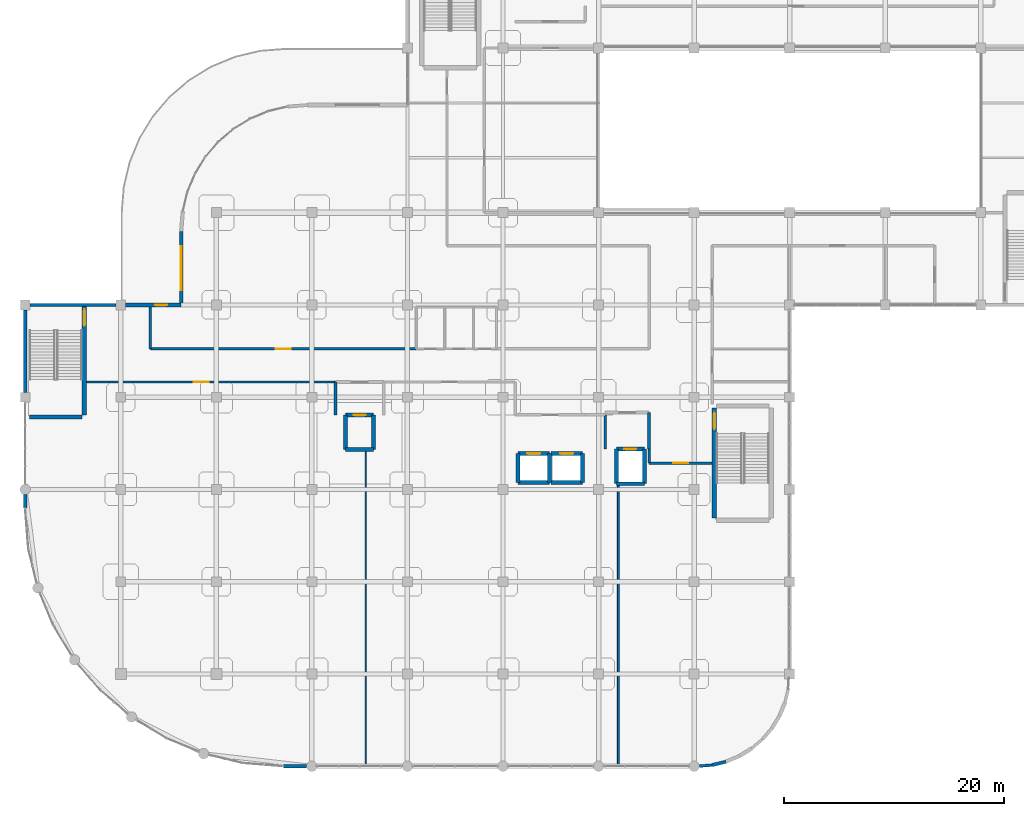
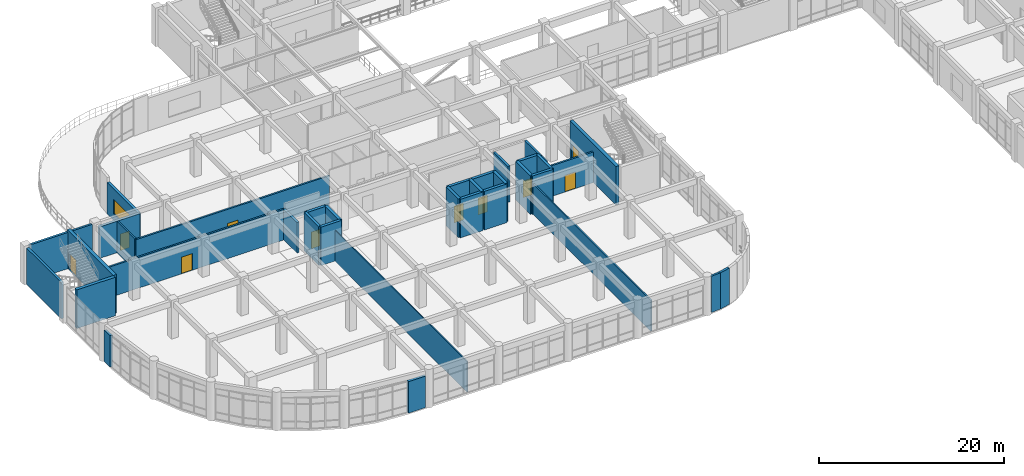
# One storey, part 99 of 120: 36 walls, 10 doors, 1 window, 11 openings.
"""IFC4 building model written with IfcOpenShell, lengths in metres."""

from ifc_helpers import new_model, si_unit, derived_unit, direction, frame, frame_2d, origin, place, context, subcontext, project, spatial, rectangle, extrude, material, layer, layer_set, type_object, element, fill, save


model = new_model("IFC4")

# Units and contexts
model_context = context("Model", 3, precision=1e-05, world=origin(), true_north=direction((0.0, 1.0)))
body_context = subcontext(model_context, "Body", "Model", "MODEL_VIEW")
ifc_project = project(units=[si_unit("LENGTHUNIT", "METRE"), si_unit("AREAUNIT", "SQUARE_METRE"), si_unit("VOLUMEUNIT", "CUBIC_METRE"), si_unit("PLANEANGLEUNIT", "RADIAN"), si_unit("MASSUNIT", "GRAM", prefix="KILO"), derived_unit("THERMALTRANSMITTANCEUNIT", [(si_unit("MASSUNIT", "GRAM", prefix="KILO"), 1), (si_unit("TIMEUNIT", "SECOND"), -3), (si_unit("THERMODYNAMICTEMPERATUREUNIT", "KELVIN"), -1)])], contexts=[model_context])

# Site, building, storey
site_placement = place(None, origin())
site = spatial("IfcSite", under=ifc_project, at=site_placement, CompositionType="ELEMENT")
building_placement = place(site_placement, origin())
building = spatial("IfcBuilding", under=site, at=building_placement, Name="Qinzheling Arcade Emporium", CompositionType="ELEMENT")
storey_placement = place(building_placement, frame((0.0, 0.0, 11.39990234375)))
storey = spatial("IfcBuildingStorey", under=building, at=storey_placement, Name="L03", CompositionType="ELEMENT", Elevation=11.39990234375)

# Wall
ifc_material_1 = material(Name="Double-stud acoustic gypsum board partition")
ifc_layer_1 = layer(ifc_material_1, 0.215087890625, Name="Double-stud acoustic gypsum board partition")
ifc_layer_set_1 = layer_set([ifc_layer_1], Name="Double-stud acoustic gypsum board partition")
wall_type_1 = type_object("IfcWallType", Name="Acoustic Corridor Partition Wall 215", PredefinedType="PARTITIONING", material=ifc_layer_set_1)
wall_1_placement = place(storey_placement, frame((11.39990234375, 41.824951171875, 0.0), z_axis=(0.0, 0.0, 1.0), x_axis=(0.0, -1.0, 0.0)))
element("IfcWall", 1, at=wall_1_placement, inside=storey, type_object=wall_type_1, Name="Interior Wall WL-L03-INT-0468", PredefinedType="PARTITIONING", context=body_context, shape_type="SweptSolid", body=[
    extrude(rectangle(XDim=3.824951171875, YDim=0.215087890625, at=frame_2d((1.91259765625, 0.0))), origin(), (0.0, 0.0, 1.0), 4.16015625),
])

# Wall, opening, door
wall_2_placement = place(storey_placement, frame((11.39990234375, 38.0, 0.0), z_axis=(0.0, 0.0, 1.0), x_axis=(1.0, 0.0, 0.0)))
wall_2 = element("IfcWall", 2, at=wall_2_placement, inside=storey, type_object=wall_type_1, Name="Interior Wall WL-L03-INT-0469", PredefinedType="PARTITIONING", context=body_context, shape_type="SweptSolid", body=[
    extrude(rectangle(XDim=24.2001953125, YDim=0.215087890625, at=frame_2d((12.10009765625, 0.0))), origin(), (0.0, 0.0, 1.0), 4.06005859375),
])
opening_1_placement = place(wall_2_placement, frame((11.425048828125, 0.0, 0.0)))
opening_1 = element("IfcOpeningElement", 3, at=opening_1_placement, cuts=wall_2, Name="Opening FD05", PredefinedType="OPENING", context=body_context, shape_type="SweptSolid", body=[
    extrude(rectangle(XDim=1.35009765625, YDim=2.199951171875, at=frame_2d((0.675048828125, 1.10009765625))), frame((0.0, 0.11767578125, 0.0), z_axis=(0.0, -1.0, 0.0), x_axis=(1.0, 0.0, 0.0)), (0.0, 0.0, 1.0), 0.235107421875),
])
ifc_material_2 = material(Name="Class B fire-rated stainless-clad door")
door_type_1 = type_object("IfcDoorType", Name="Kitchen Fire-Rated Service Door 1350x2200", OperationType="NOTDEFINED", PredefinedType="DOOR", material=ifc_material_2)
door_1_placement = place(opening_1_placement, origin())
door_1 = element("IfcDoor", 4, at=door_1_placement, inside=storey, type_object=door_type_1, Name="FD05 Interior Door DR-L03-INT-0132", OperationType="SINGLE_SWING_RIGHT", OverallHeight=2.199951171875, OverallWidth=1.35009765625, PredefinedType="DOOR", context=body_context, shape_type="SweptSolid", body=[
    extrude(rectangle(XDim=1.35009765625, YDim=2.199951171875, at=frame_2d((0.675048828125, 1.10009765625))), frame((0.0, 0.02490234375, 0.0), z_axis=(0.0, -1.0, 0.0), x_axis=(1.0, 0.0, 0.0)), (0.0, 0.0, 1.0), 0.050048828125),
])
fill(opening_1, door_1)

wall_3_placement = place(storey_placement, frame((28.25, 34.97998046875, 0.0), z_axis=(0.0, 0.0, 1.0), x_axis=(-1.0, 0.0, 0.0)))
wall_3 = element("IfcWall", 5, at=wall_3_placement, inside=storey, type_object=wall_type_1, Name="Interior Wall WL-L03-INT-0477", PredefinedType="PARTITIONING", context=body_context, shape_type="SweptSolid", body=[
    extrude(rectangle(XDim=22.655029296875, YDim=0.215087890625, at=frame_2d((11.32763671875, 0.0))), origin(), (0.0, 0.0, 1.0), 4.06005859375),
])
opening_2_placement = place(wall_3_placement, frame((11.552978515625, 0.0, 0.0)))
opening_2 = element("IfcOpeningElement", 6, at=opening_2_placement, cuts=wall_3, Name="Opening FD05", PredefinedType="OPENING", context=body_context, shape_type="SweptSolid", body=[
    extrude(rectangle(XDim=1.35009765625, YDim=2.199951171875, at=frame_2d((0.675048828125, 1.10009765625))), frame((0.0, 0.11767578125, 0.0), z_axis=(0.0, -1.0, 0.0), x_axis=(1.0, 0.0, 0.0)), (0.0, 0.0, 1.0), 0.235107421875),
])
door_2_placement = place(opening_2_placement, origin())
door_2 = element("IfcDoor", 7, at=door_2_placement, inside=storey, type_object=door_type_1, Name="FD05 Interior Door DR-L03-INT-0134", OperationType="SINGLE_SWING_RIGHT", OverallHeight=2.199951171875, OverallWidth=1.35009765625, PredefinedType="DOOR", context=body_context, shape_type="SweptSolid", body=[
    extrude(rectangle(XDim=1.35009765625, YDim=2.199951171875, at=frame_2d((0.675048828125, 1.10009765625))), frame((0.0, 0.02490234375, 0.0), z_axis=(0.0, -1.0, 0.0), x_axis=(1.0, 0.0, 0.0)), (0.0, 0.0, 1.0), 0.050048828125),
])
fill(opening_2, door_2)

wall_4_placement = place(storey_placement, frame((62.544921875, 27.60009765625, 0.0), z_axis=(0.0, 0.0, 1.0), x_axis=(-1.0, 0.0, 0.0)))
wall_4 = element("IfcWall", 8, at=wall_4_placement, inside=storey, type_object=wall_type_1, Name="Interior Wall WL-L03-INT-0481", PredefinedType="PARTITIONING", context=body_context, shape_type="SweptSolid", body=[
    extrude(rectangle(XDim=5.744873046875, YDim=0.215087890625, at=frame_2d((2.87255859375, 0.0))), origin(), (0.0, 0.0, 1.0), 4.06005859375),
])
opening_3_placement = place(wall_4_placement, frame((2.197998046875, 0.0, 0.0)))
opening_3 = element("IfcOpeningElement", 9, at=opening_3_placement, cuts=wall_4, Name="Opening FD05", PredefinedType="OPENING", context=body_context, shape_type="SweptSolid", body=[
    extrude(rectangle(XDim=1.35009765625, YDim=2.199951171875, at=frame_2d((0.675048828125, 1.10009765625))), frame((0.0, 0.11767578125, 0.0), z_axis=(0.0, -1.0, 0.0), x_axis=(1.0, 0.0, 0.0)), (0.0, 0.0, 1.0), 0.235107421875),
])
door_3_placement = place(opening_3_placement, origin())
door_3 = element("IfcDoor", 10, at=door_3_placement, inside=storey, type_object=door_type_1, Name="FD05 Interior Door DR-L03-INT-0136", OperationType="SINGLE_SWING_RIGHT", OverallHeight=2.199951171875, OverallWidth=1.35009765625, PredefinedType="DOOR", context=body_context, shape_type="SweptSolid", body=[
    extrude(rectangle(XDim=1.35009765625, YDim=2.199951171875, at=frame_2d((0.675048828125, 1.10009765625))), frame((0.0, 0.02490234375, 0.0), z_axis=(0.0, -1.0, 0.0), x_axis=(1.0, 0.0, 0.0)), (0.0, 0.0, 1.0), 0.050048828125),
])
fill(opening_3, door_3)

# Walls
wall_5_placement = place(storey_placement, frame((56.800048828125, 27.60009765625, 0.0), z_axis=(0.0, 0.0, 1.0), x_axis=(0.0, 1.0, 0.0)))
element("IfcWall", 11, at=wall_5_placement, inside=storey, type_object=wall_type_1, Name="Interior Wall WL-L03-INT-0482", PredefinedType="PARTITIONING", context=body_context, shape_type="SweptSolid", body=[
    extrude(rectangle(XDim=1.27978515625, YDim=0.215087890625, at=frame_2d((0.639892578125, 0.0))), origin(), (0.0, 0.0, 1.0), 4.760009765625),
])
ifc_material_3 = material(Name="Insulated aluminium-clad spandrel wall", Category="aluminium")
ifc_layer_2 = layer(ifc_material_3, 0.260009765625, Name="Insulated aluminium-clad spandrel wall", Category="aluminium")
ifc_layer_set_2 = layer_set([ifc_layer_2], Name="Insulated aluminium-clad spandrel wall")
wall_type_2 = type_object("IfcWallType", Name="Arcade Clerestory Spandrel Wall 260", PredefinedType="STANDARD", material=ifc_layer_set_2)
wall_6_placement = place(storey_placement, frame((62.513916015625, 0.10302734375, 0.0), z_axis=(0.0, 0.0, 1.0), x_axis=(-0.996942630005, -0.078137010941, 0.0)))
element("IfcWall", 12, at=wall_6_placement, inside=storey, type_object=wall_type_2, Name="Exterior Wall WL-L03-EW-0165", PredefinedType="STANDARD", context=body_context, shape_type="SweptSolid", body=[
    extrude(rectangle(XDim=1.140380859375, YDim=0.260009765625, at=frame_2d((0.5703125, 0.0))), origin(), (0.0, 0.0, 1.0), 4.7900390625),
])
wall_7_placement = place(storey_placement, frame((0.451904296875, 42.0, 0.0), z_axis=(0.0, 0.0, 1.0), x_axis=(1.0, 0.0, 0.0)))
element("IfcWall", 13, at=wall_7_placement, inside=storey, type_object=wall_type_2, Name="Exterior Wall WL-L03-EW-0169", PredefinedType="STANDARD", context=body_context, shape_type="SweptSolid", body=[
    extrude(rectangle(XDim=7.796142578125, YDim=0.260009765625, at=frame_2d((3.89794921875, 0.0))), origin(), (0.0, 0.0, 1.0), 4.7900390625),
])
ifc_material_4 = material(Name="Celadon glazed terracotta insulated spandrel", Category="masonry")
ifc_layer_3 = layer(ifc_material_4, 0.340087890625, Name="Celadon glazed terracotta insulated spandrel", Category="masonry")
ifc_layer_set_3 = layer_set([ifc_layer_3], Name="Celadon glazed terracotta insulated spandrel")
wall_type_3 = type_object("IfcWallType", Name="Celadon Spandrel Infill Wall 340", PredefinedType="STANDARD", material=ifc_layer_set_3)
wall_8_placement = place(storey_placement, frame((25.623046875, 0.0, 0.0), z_axis=(0.0, 0.0, 1.0), x_axis=(-1.0, 0.0, 0.0)))
element("IfcWall", 14, at=wall_8_placement, inside=storey, type_object=wall_type_3, Name="Exterior Wall WL-L03-EW-0166", PredefinedType="STANDARD", context=body_context, shape_type="SweptSolid", body=[
    extrude(rectangle(XDim=2.123046875, YDim=0.340087890625, at=frame_2d((1.0615234375, 0.0))), origin(), (0.0, 0.0, 1.0), 4.155029296875),
])

# Wall, opening, door
wall_9_placement = place(storey_placement, frame((9.152099609375, 42.0, 0.0), z_axis=(0.0, 0.0, 1.0), x_axis=(1.0, 0.0, 0.0)))
wall_9 = element("IfcWall", 15, at=wall_9_placement, inside=storey, type_object=wall_type_3, Name="Exterior Wall WL-L03-EW-0170", PredefinedType="STANDARD", context=body_context, shape_type="SweptSolid", body=[
    extrude(rectangle(XDim=5.0478515625, YDim=0.340087890625, at=frame_2d((2.52392578125, 0.0))), origin(), (0.0, 0.0, 1.0), 4.155029296875),
])
opening_4_placement = place(wall_9_placement, frame((2.674072265625, 0.0, 0.0)))
opening_4 = element("IfcOpeningElement", 16, at=opening_4_placement, cuts=wall_9, Name="Opening TD04", PredefinedType="OPENING", context=body_context, shape_type="SweptSolid", body=[
    extrude(rectangle(XDim=1.10009765625, YDim=2.199951171875, at=frame_2d((0.550048828125, 1.10009765625))), frame((0.0, 0.18017578125, 0.0), z_axis=(0.0, -1.0, 0.0), x_axis=(1.0, 0.0, 0.0)), (0.0, 0.0, 1.0), 0.360107421875),
])
ifc_material_5 = material(Name="Thermally broken aluminium and double glass", Category="aluminium")
door_type_2 = type_object("IfcDoorType", Name="Buying Office Terrace Single Door 1100x2200", OperationType="NOTDEFINED", PredefinedType="DOOR", material=ifc_material_5)
door_4_placement = place(opening_4_placement, origin())
door_4 = element("IfcDoor", 17, at=door_4_placement, inside=storey, type_object=door_type_2, Name="TD04 Exterior Door DR-L03-EXT-031", OperationType="SINGLE_SWING_RIGHT", OverallHeight=2.199951171875, OverallWidth=1.10009765625, PredefinedType="DOOR", context=body_context, shape_type="SweptSolid", body=[
    extrude(rectangle(XDim=1.10009765625, YDim=2.199951171875, at=frame_2d((0.550048828125, 1.10009765625))), frame((0.0, 0.02490234375, 0.0), z_axis=(0.0, -1.0, 0.0), x_axis=(1.0, 0.0, 0.0)), (0.0, 0.0, 1.0), 0.050048828125),
])
fill(opening_4, door_4)

# Wall
ifc_material_6 = material(Name="Glazed cream terracotta insulated wall", Category="masonry")
ifc_layer_4 = layer(ifc_material_6, 0.320068359375, Name="Glazed cream terracotta insulated wall", Category="masonry")
ifc_layer_set_4 = layer_set([ifc_layer_4], Name="Glazed cream terracotta insulated wall")
wall_type_4 = type_object("IfcWallType", Name="Chicago Frame Infill Wall 320", PredefinedType="STANDARD", material=ifc_layer_set_4)
wall_10_placement = place(storey_placement, frame((0.0, 23.5, 0.0), z_axis=(0.0, 0.0, 1.0), x_axis=(0.0, 1.0, 0.0)))
element("IfcWall", 18, at=wall_10_placement, inside=storey, type_object=wall_type_4, Name="Exterior Wall WL-L03-EW-0167", PredefinedType="STANDARD", context=body_context, shape_type="SweptSolid", body=[
    extrude(rectangle(XDim=1.222900390625, YDim=0.320068359375, at=frame_2d((0.611328125, 0.0))), origin(), (0.0, 0.0, 1.0), 4.155029296875),
])

# Wall, opening, window
wall_11_placement = place(storey_placement, frame((14.199951171875, 42.0, 0.0), z_axis=(0.0, 0.0, 1.0), x_axis=(0.0, 1.0, 0.0)))
wall_11 = element("IfcWall", 19, at=wall_11_placement, inside=storey, type_object=wall_type_4, Name="Exterior Wall WL-L03-EW-0171", PredefinedType="STANDARD", context=body_context, shape_type="SweptSolid", body=[
    extrude(rectangle(XDim=6.699951171875, YDim=0.320068359375, at=frame_2d((3.35009765625, 0.0))), origin(), (0.0, 0.0, 1.0), 4.155029296875),
])
opening_5_placement = place(wall_11_placement, frame((1.35009765625, 0.0, 0.85009765625)))
opening_5 = element("IfcOpeningElement", 20, at=opening_5_placement, cuts=wall_11, Name="Opening WN18", PredefinedType="OPENING", context=body_context, shape_type="SweptSolid", body=[
    extrude(rectangle(XDim=4.0, YDim=1.949951171875, at=frame_2d((2.0, 0.97509765625))), frame((0.0, 0.169921875, 0.0), z_axis=(0.0, -1.0, 0.0), x_axis=(1.0, 0.0, 0.0)), (0.0, 0.0, 1.0), 0.340087890625),
])
ifc_material_7 = material(Name="Thermally broken aluminium frame with solar-control double glazing", Category="aluminium")
window_type = type_object("IfcWindowType", Name="Chicago Tripartite Window 4000x1950", PartitioningType="TRIPLE_PANEL_VERTICAL", PredefinedType="WINDOW", material=ifc_material_7)
window_placement = place(opening_5_placement, origin())
window = element("IfcWindow", 21, at=window_placement, inside=storey, type_object=window_type, Name="WN18 Window WN-L03-0042", OverallHeight=1.949951171875, OverallWidth=4.0, PartitioningType="TRIPLE_PANEL_VERTICAL", PredefinedType="WINDOW", context=body_context, shape_type="SweptSolid", body=[
    extrude(rectangle(XDim=4.0, YDim=1.949951171875, at=frame_2d((2.0, 0.97509765625))), frame((0.0, 0.030029296875, 0.0), z_axis=(0.0, -1.0, 0.0), x_axis=(1.0, 0.0, 0.0)), (0.0, 0.0, 1.0), 0.06005859375),
])
fill(opening_5, window)

# Walls
ifc_material_8 = material(Name="Fire-rated double-stud gypsum and mineral wool wall")
ifc_layer_5 = layer(ifc_material_8, 0.2451171875, Name="Fire-rated double-stud gypsum and mineral wool wall")
ifc_layer_set_5 = layer_set([ifc_layer_5], Name="Fire-rated double-stud gypsum and mineral wool wall")
wall_type_5 = type_object("IfcWallType", Name="Firefighting Lobby Rated Wall 245", PredefinedType="STANDARD", material=ifc_layer_set_5)
wall_12_placement = place(storey_placement, frame((56.800048828125, 32.199951171875, 0.0), z_axis=(0.0, 0.0, 1.0), x_axis=(0.0, -1.0, 0.0)))
element("IfcWall", 22, at=wall_12_placement, inside=storey, type_object=wall_type_5, Name="Interior Wall WL-L03-INT-0432", PredefinedType="STANDARD", context=body_context, shape_type="SweptSolid", body=[
    extrude(rectangle(XDim=3.320068359375, YDim=0.2451171875, at=frame_2d((1.66015625, 0.0))), origin(), (0.0, 0.0, 1.0), 4.760009765625),
])
wall_13_placement = place(storey_placement, frame((52.800048828125, 28.8798828125, 0.0), z_axis=(0.0, 0.0, 1.0), x_axis=(0.0, 1.0, 0.0)))
element("IfcWall", 23, at=wall_13_placement, inside=storey, type_object=wall_type_5, Name="Interior Wall WL-L03-INT-0433", PredefinedType="STANDARD", context=body_context, shape_type="SweptSolid", body=[
    extrude(rectangle(XDim=3.1201171875, YDim=0.2451171875, at=frame_2d((1.56005859375, 0.0))), origin(), (0.0, 0.0, 1.0), 4.760009765625),
])
wall_14_placement = place(storey_placement, frame((28.25, 31.97998046875, 0.0), z_axis=(0.0, 0.0, 1.0), x_axis=(0.0, 1.0, 0.0)))
element("IfcWall", 24, at=wall_14_placement, inside=storey, type_object=wall_type_5, Name="Interior Wall WL-L03-INT-0435", PredefinedType="STANDARD", context=body_context, shape_type="SweptSolid", body=[
    extrude(rectangle(XDim=3.0, YDim=0.2451171875, at=frame_2d((1.5, 0.0))), origin(), (0.0, 0.0, 1.0), 4.06005859375),
])
ifc_material_9 = material(Name="Lightweight gypsum studio partition")
ifc_layer_6 = layer(ifc_material_9, 0.125, Name="Lightweight gypsum studio partition")
ifc_layer_set_6 = layer_set([ifc_layer_6], Name="Lightweight gypsum studio partition")
wall_type_6 = type_object("IfcWallType", Name="Merchandising Studio Partition Wall 125", PredefinedType="PARTITIONING", material=ifc_layer_set_6)
wall_15_placement = place(storey_placement, frame((31.0, 28.64501953125, 0.0), z_axis=(0.0, 0.0, 1.0), x_axis=(0.0, -1.0, 0.0)))
element("IfcWall", 25, at=wall_15_placement, inside=storey, type_object=wall_type_6, Name="Interior Wall WL-L03-INT-0550", PredefinedType="PARTITIONING", context=body_context, shape_type="SweptSolid", body=[
    extrude(rectangle(XDim=28.544921875, YDim=0.125, at=frame_2d((14.2724609375, 0.0))), origin(), (0.0, 0.0, 1.0), 4.06005859375),
])

# Wall, opening, door
ifc_material_10 = material(Name="Concrete C40", Category="concrete")
ifc_layer_7 = layer(ifc_material_10, 0.35009765625, Name="Concrete C40", Category="concrete")
ifc_layer_set_7 = layer_set([ifc_layer_7], Name="Concrete C40")
wall_type_7 = type_object("IfcWallType", Name="RC Lift Shaft Shear Wall 350 C40", PredefinedType="SHEAR", material=ifc_layer_set_7)
wall_16_placement = place(storey_placement, frame((53.824951171875, 28.875, 0.0), z_axis=(0.0, 0.0, 1.0), x_axis=(1.0, 0.0, 0.0)))
wall_16 = element("IfcWall", 26, at=wall_16_placement, inside=storey, type_object=wall_type_7, Name="Lift Shaft Wall WL-L03-LFT-LF01-N", PredefinedType="SHEAR", context=body_context, shape_type="SweptSolid", body=[
    extrude(rectangle(XDim=2.550048828125, YDim=0.35009765625, at=frame_2d((1.27490234375, 0.0))), origin(), (0.0, 0.0, 1.0), 5.10009765625),
])
opening_6_placement = place(wall_16_placement, frame((0.72509765625, 0.0, 0.0)))
opening_6 = element("IfcOpeningElement", 27, at=opening_6_placement, cuts=wall_16, Name="Opening LD01", PredefinedType="OPENING", context=body_context, shape_type="SweptSolid", body=[
    extrude(rectangle(XDim=1.10009765625, YDim=2.199951171875, at=frame_2d((0.550048828125, 1.10009765625))), frame((0.0, 0.18505859375, 0.0), z_axis=(0.0, -1.0, 0.0), x_axis=(1.0, 0.0, 0.0)), (0.0, 0.0, 1.0), 0.3701171875),
])
ifc_material_11 = material(Name="Fire-rated stainless steel sliding lift door", Category="steel")
door_type_3 = type_object("IfcDoorType", Name="Firefighting Lift Sliding Landing Door 1100x2200", OperationType="DOUBLE_DOOR_SLIDING", PredefinedType="DOOR", material=ifc_material_11)
door_5_placement = place(opening_6_placement, origin())
door_5 = element("IfcDoor", 28, at=door_5_placement, inside=storey, type_object=door_type_3, Name="LD01 Lift Landing Door LF01 L03", OperationType="DOUBLE_DOOR_SLIDING", OverallHeight=2.199951171875, OverallWidth=1.10009765625, PredefinedType="DOOR", context=body_context, shape_type="SweptSolid", body=[
    extrude(rectangle(XDim=1.10009765625, YDim=2.199951171875, at=frame_2d((0.550048828125, 1.10009765625))), frame((0.0, 0.02490234375, 0.0), z_axis=(0.0, -1.0, 0.0), x_axis=(1.0, 0.0, 0.0)), (0.0, 0.0, 1.0), 0.050048828125),
])
fill(opening_6, door_5)

# Walls
wall_17_placement = place(storey_placement, frame((56.375, 25.72509765625, 0.0), z_axis=(0.0, 0.0, 1.0), x_axis=(-1.0, 0.0, 0.0)))
element("IfcWall", 29, at=wall_17_placement, inside=storey, type_object=wall_type_7, Name="Lift Shaft Wall WL-L03-LFT-LF01-S", PredefinedType="SHEAR", context=body_context, shape_type="SweptSolid", body=[
    extrude(rectangle(XDim=2.550048828125, YDim=0.35009765625, at=frame_2d((1.27490234375, 0.0))), origin(), (0.0, 0.0, 1.0), 5.10009765625),
])
for number, where, z_axis, x_axis, name in (
    (30, (53.824951171875, 25.72509765625, 0.0), (0.0, 0.0, 1.0), (0.0, 1.0, 0.0), "Lift Shaft Wall WL-L03-LFT-LF01-W"),
    (31, (56.375, 28.875, 0.0), (0.0, 0.0, 1.0), (0.0, -1.0, 0.0), "Lift Shaft Wall WL-L03-LFT-LF01-E"),
):
    element("IfcWall", number, at=place(storey_placement, frame(where, z_axis=z_axis, x_axis=x_axis)), inside=storey, type_object=wall_type_7, Name=name, PredefinedType="SHEAR", context=body_context, shape_type="SweptSolid", body=[
        extrude(rectangle(XDim=3.14990234375, YDim=0.35009765625, at=frame_2d((1.574951171875, 0.0))), origin(), (0.0, 0.0, 1.0), 5.10009765625),
    ])

# Wall, opening, door
wall_18_placement = place(storey_placement, frame((29.175048828125, 31.97509765625, 0.0), z_axis=(0.0, 0.0, 1.0), x_axis=(1.0, 0.0, 0.0)))
wall_18 = element("IfcWall", 32, at=wall_18_placement, inside=storey, type_object=wall_type_7, Name="Lift Shaft Wall WL-L03-LFT-LF02-N", PredefinedType="SHEAR", context=body_context, shape_type="SweptSolid", body=[
    extrude(rectangle(XDim=2.550048828125, YDim=0.35009765625, at=frame_2d((1.27490234375, 0.0))), origin(), (0.0, 0.0, 1.0), 5.10009765625),
])
opening_7_placement = place(wall_18_placement, frame((0.72509765625, 0.0, 0.0)))
opening_7 = element("IfcOpeningElement", 33, at=opening_7_placement, cuts=wall_18, Name="Opening LD01", PredefinedType="OPENING", context=body_context, shape_type="SweptSolid", body=[
    extrude(rectangle(XDim=1.10009765625, YDim=2.199951171875, at=frame_2d((0.550048828125, 1.10009765625))), frame((0.0, 0.18505859375, 0.0), z_axis=(0.0, -1.0, 0.0), x_axis=(1.0, 0.0, 0.0)), (0.0, 0.0, 1.0), 0.3701171875),
])
door_6_placement = place(opening_7_placement, origin())
door_6 = element("IfcDoor", 34, at=door_6_placement, inside=storey, type_object=door_type_3, Name="LD01 Lift Landing Door LF02 L03", OperationType="DOUBLE_DOOR_SLIDING", OverallHeight=2.199951171875, OverallWidth=1.10009765625, PredefinedType="DOOR", context=body_context, shape_type="SweptSolid", body=[
    extrude(rectangle(XDim=1.10009765625, YDim=2.199951171875, at=frame_2d((0.550048828125, 1.10009765625))), frame((0.0, 0.02490234375, 0.0), z_axis=(0.0, -1.0, 0.0), x_axis=(1.0, 0.0, 0.0)), (0.0, 0.0, 1.0), 0.050048828125),
])
fill(opening_7, door_6)

# Walls
wall_19_placement = place(storey_placement, frame((31.72509765625, 28.824951171875, 0.0), z_axis=(0.0, 0.0, 1.0), x_axis=(-1.0, 0.0, 0.0)))
element("IfcWall", 35, at=wall_19_placement, inside=storey, type_object=wall_type_7, Name="Lift Shaft Wall WL-L03-LFT-LF02-S", PredefinedType="SHEAR", context=body_context, shape_type="SweptSolid", body=[
    extrude(rectangle(XDim=2.550048828125, YDim=0.35009765625, at=frame_2d((1.27490234375, 0.0))), origin(), (0.0, 0.0, 1.0), 5.10009765625),
])
for number, where, z_axis, x_axis, name in (
    (36, (29.175048828125, 28.824951171875, 0.0), (0.0, 0.0, 1.0), (0.0, 1.0, 0.0), "Lift Shaft Wall WL-L03-LFT-LF02-W"),
    (37, (31.72509765625, 31.97509765625, 0.0), (0.0, 0.0, 1.0), (0.0, -1.0, 0.0), "Lift Shaft Wall WL-L03-LFT-LF02-E"),
):
    element("IfcWall", number, at=place(storey_placement, frame(where, z_axis=z_axis, x_axis=x_axis)), inside=storey, type_object=wall_type_7, Name=name, PredefinedType="SHEAR", context=body_context, shape_type="SweptSolid", body=[
        extrude(rectangle(XDim=3.150146484375, YDim=0.35009765625, at=frame_2d((1.5751953125, 0.0))), origin(), (0.0, 0.0, 1.0), 5.10009765625),
    ])

# Wall, opening, door
wall_20_placement = place(storey_placement, frame((44.875, 28.47509765625, 0.0), z_axis=(0.0, 0.0, 1.0), x_axis=(1.0, 0.0, 0.0)))
wall_20 = element("IfcWall", 38, at=wall_20_placement, inside=storey, type_object=wall_type_7, Name="Lift Shaft Wall WL-L03-LFT-LP01-N", PredefinedType="SHEAR", context=body_context, shape_type="SweptSolid", body=[
    extrude(rectangle(XDim=2.85009765625, YDim=0.35009765625, at=frame_2d((1.425048828125, 0.0))), origin(), (0.0, 0.0, 1.0), 5.10009765625),
])
opening_8_placement = place(wall_20_placement, frame((0.824951171875, 0.0, 0.0)))
opening_8 = element("IfcOpeningElement", 39, at=opening_8_placement, cuts=wall_20, Name="Opening LD02", PredefinedType="OPENING", context=body_context, shape_type="SweptSolid", body=[
    extrude(rectangle(XDim=1.199951171875, YDim=2.199951171875, at=frame_2d((0.60009765625, 1.10009765625))), frame((0.0, 0.18505859375, 0.0), z_axis=(0.0, -1.0, 0.0), x_axis=(1.0, 0.0, 0.0)), (0.0, 0.0, 1.0), 0.3701171875),
])
ifc_material_12 = material(Name="Brushed bronze stainless sliding lift door")
door_type_4 = type_object("IfcDoorType", Name="Passenger Lift Sliding Landing Door 1200x2200", OperationType="DOUBLE_DOOR_SLIDING", PredefinedType="DOOR", material=ifc_material_12)
door_7_placement = place(opening_8_placement, origin())
door_7 = element("IfcDoor", 40, at=door_7_placement, inside=storey, type_object=door_type_4, Name="LD02 Lift Landing Door LP01 L03", OperationType="DOUBLE_DOOR_SLIDING", OverallHeight=2.199951171875, OverallWidth=1.199951171875, PredefinedType="DOOR", context=body_context, shape_type="SweptSolid", body=[
    extrude(rectangle(XDim=1.199951171875, YDim=2.199951171875, at=frame_2d((0.60009765625, 1.10009765625))), frame((0.0, 0.02490234375, 0.0), z_axis=(0.0, -1.0, 0.0), x_axis=(1.0, 0.0, 0.0)), (0.0, 0.0, 1.0), 0.050048828125),
])
fill(opening_8, door_7)

# Walls
wall_21_placement = place(storey_placement, frame((47.72509765625, 25.824951171875, 0.0), z_axis=(0.0, 0.0, 1.0), x_axis=(-1.0, 0.0, 0.0)))
element("IfcWall", 41, at=wall_21_placement, inside=storey, type_object=wall_type_7, Name="Lift Shaft Wall WL-L03-LFT-LP01-S", PredefinedType="SHEAR", context=body_context, shape_type="SweptSolid", body=[
    extrude(rectangle(XDim=2.85009765625, YDim=0.35009765625, at=frame_2d((1.425048828125, 0.0))), origin(), (0.0, 0.0, 1.0), 5.10009765625),
])
for number, where, z_axis, x_axis, name in (
    (42, (44.875, 25.824951171875, 0.0), (0.0, 0.0, 1.0), (0.0, 1.0, 0.0), "Lift Shaft Wall WL-L03-LFT-LP01-W"),
    (43, (47.72509765625, 28.47509765625, 0.0), (0.0, 0.0, 1.0), (0.0, -1.0, 0.0), "Lift Shaft Wall WL-L03-LFT-LP01-E"),
):
    element("IfcWall", number, at=place(storey_placement, frame(where, z_axis=z_axis, x_axis=x_axis)), inside=storey, type_object=wall_type_7, Name=name, PredefinedType="SHEAR", context=body_context, shape_type="SweptSolid", body=[
        extrude(rectangle(XDim=2.650146484375, YDim=0.35009765625, at=frame_2d((1.3251953125, 0.0))), origin(), (0.0, 0.0, 1.0), 5.10009765625),
    ])

# Wall, opening, door
wall_22_placement = place(storey_placement, frame((47.875, 28.47509765625, 0.0), z_axis=(0.0, 0.0, 1.0), x_axis=(1.0, 0.0, 0.0)))
wall_22 = element("IfcWall", 44, at=wall_22_placement, inside=storey, type_object=wall_type_7, Name="Lift Shaft Wall WL-L03-LFT-LP02-N", PredefinedType="SHEAR", context=body_context, shape_type="SweptSolid", body=[
    extrude(rectangle(XDim=2.85009765625, YDim=0.35009765625, at=frame_2d((1.425048828125, 0.0))), origin(), (0.0, 0.0, 1.0), 5.10009765625),
])
opening_9_placement = place(wall_22_placement, frame((0.824951171875, 0.0, 0.0)))
opening_9 = element("IfcOpeningElement", 45, at=opening_9_placement, cuts=wall_22, Name="Opening LD02", PredefinedType="OPENING", context=body_context, shape_type="SweptSolid", body=[
    extrude(rectangle(XDim=1.199951171875, YDim=2.199951171875, at=frame_2d((0.60009765625, 1.10009765625))), frame((0.0, 0.18505859375, 0.0), z_axis=(0.0, -1.0, 0.0), x_axis=(1.0, 0.0, 0.0)), (0.0, 0.0, 1.0), 0.3701171875),
])
door_8_placement = place(opening_9_placement, origin())
door_8 = element("IfcDoor", 46, at=door_8_placement, inside=storey, type_object=door_type_4, Name="LD02 Lift Landing Door LP02 L03", OperationType="DOUBLE_DOOR_SLIDING", OverallHeight=2.199951171875, OverallWidth=1.199951171875, PredefinedType="DOOR", context=body_context, shape_type="SweptSolid", body=[
    extrude(rectangle(XDim=1.199951171875, YDim=2.199951171875, at=frame_2d((0.60009765625, 1.10009765625))), frame((0.0, 0.02490234375, 0.0), z_axis=(0.0, -1.0, 0.0), x_axis=(1.0, 0.0, 0.0)), (0.0, 0.0, 1.0), 0.050048828125),
])
fill(opening_9, door_8)

# Walls
wall_23_placement = place(storey_placement, frame((50.72509765625, 25.824951171875, 0.0), z_axis=(0.0, 0.0, 1.0), x_axis=(-1.0, 0.0, 0.0)))
element("IfcWall", 47, at=wall_23_placement, inside=storey, type_object=wall_type_7, Name="Lift Shaft Wall WL-L03-LFT-LP02-S", PredefinedType="SHEAR", context=body_context, shape_type="SweptSolid", body=[
    extrude(rectangle(XDim=2.85009765625, YDim=0.35009765625, at=frame_2d((1.425048828125, 0.0))), origin(), (0.0, 0.0, 1.0), 5.10009765625),
])
wall_24_placement = place(storey_placement, frame((50.72509765625, 28.47509765625, 0.0), z_axis=(0.0, 0.0, 1.0), x_axis=(0.0, -1.0, 0.0)))
element("IfcWall", 48, at=wall_24_placement, inside=storey, type_object=wall_type_7, Name="Lift Shaft Wall WL-L03-LFT-LP02-E", PredefinedType="SHEAR", context=body_context, shape_type="SweptSolid", body=[
    extrude(rectangle(XDim=2.650146484375, YDim=0.35009765625, at=frame_2d((1.3251953125, 0.0))), origin(), (0.0, 0.0, 1.0), 5.10009765625),
])

# Wall, opening, door
ifc_material_13 = material(Name="Concrete C50", Category="concrete")
ifc_layer_8 = layer(ifc_material_13, 0.39990234375, Name="Concrete C50", Category="concrete")
ifc_layer_set_8 = layer_set([ifc_layer_8], Name="Concrete C50")
wall_type_8 = type_object("IfcWallType", Name="RC Stair Core Shear Wall 400 C50", PredefinedType="SHEAR", material=ifc_layer_set_8)
wall_25_placement = place(storey_placement, frame((62.75, 22.60009765625, 0.0), z_axis=(0.0, 0.0, 1.0), x_axis=(0.0, 1.0, 0.0)))
wall_25 = element("IfcWall", 49, at=wall_25_placement, inside=storey, type_object=wall_type_8, Name="Stair Core Wall WL-L03-ST01-WEST", PredefinedType="SHEAR", context=body_context, shape_type="SweptSolid", body=[
    extrude(rectangle(XDim=10.0, YDim=0.39990234375, at=frame_2d((5.0, 0.0))), origin(), (0.0, 0.0, 1.0), 5.10009765625),
])
opening_10_placement = place(wall_25_placement, frame((8.090087890625, 0.0, 0.0)))
opening_10 = element("IfcOpeningElement", 50, at=opening_10_placement, cuts=wall_25, Name="Opening FD01", PredefinedType="OPENING", context=body_context, shape_type="SweptSolid", body=[
    extrude(rectangle(XDim=1.5, YDim=2.199951171875, at=frame_2d((0.75, 1.10009765625))), frame((0.0, 0.2099609375, 0.0), z_axis=(0.0, -1.0, 0.0), x_axis=(1.0, 0.0, 0.0)), (0.0, 0.0, 1.0), 0.419921875),
])
ifc_material_14 = material(Name="Class A fire-rated steel double door", Category="steel")
door_type_5 = type_object("IfcDoorType", Name="Stairwell Smoke-Proof Fire Door 1500x2200", OperationType="DOUBLE_DOOR_SINGLE_SWING", PredefinedType="DOOR", material=ifc_material_14)
door_9_placement = place(opening_10_placement, origin())
door_9 = element("IfcDoor", 51, at=door_9_placement, inside=storey, type_object=door_type_5, Name="FD01 Stairwell Fire Door DR-L03-ST01-FD", OperationType="DOUBLE_DOOR_SINGLE_SWING", OverallHeight=2.199951171875, OverallWidth=1.5, PredefinedType="DOOR", context=body_context, shape_type="SweptSolid", body=[
    extrude(rectangle(XDim=1.5, YDim=2.199951171875, at=frame_2d((0.75, 1.10009765625))), frame((0.0, 0.02490234375, 0.0), z_axis=(0.0, -1.0, 0.0), x_axis=(1.0, 0.0, 0.0)), (0.0, 0.0, 1.0), 0.050048828125),
])
fill(opening_10, door_9)

wall_26_placement = place(storey_placement, frame((5.389892578125, 42.0, 0.0), z_axis=(0.0, 0.0, 1.0), x_axis=(0.0, -1.0, 0.0)))
wall_26 = element("IfcWall", 52, at=wall_26_placement, inside=storey, type_object=wall_type_8, Name="Stair Core Wall WL-L03-ST02-EAST", PredefinedType="SHEAR", context=body_context, shape_type="SweptSolid", body=[
    extrude(rectangle(XDim=10.0, YDim=0.39990234375, at=frame_2d((5.0, 0.0))), origin(), (0.0, 0.0, 1.0), 5.10009765625),
])
opening_11_placement = place(wall_26_placement, frame((0.409912109375, 0.0, 0.0)))
opening_11 = element("IfcOpeningElement", 53, at=opening_11_placement, cuts=wall_26, Name="Opening FD01", PredefinedType="OPENING", context=body_context, shape_type="SweptSolid", body=[
    extrude(rectangle(XDim=1.5, YDim=2.199951171875, at=frame_2d((0.75, 1.10009765625))), frame((0.0, 0.2099609375, 0.0), z_axis=(0.0, -1.0, 0.0), x_axis=(1.0, 0.0, 0.0)), (0.0, 0.0, 1.0), 0.419921875),
])
door_10_placement = place(opening_11_placement, origin())
door_10 = element("IfcDoor", 54, at=door_10_placement, inside=storey, type_object=door_type_5, Name="FD01 Stairwell Fire Door DR-L03-ST02-FD", OperationType="DOUBLE_DOOR_SINGLE_SWING", OverallHeight=2.199951171875, OverallWidth=1.5, PredefinedType="DOOR", context=body_context, shape_type="SweptSolid", body=[
    extrude(rectangle(XDim=1.5, YDim=2.199951171875, at=frame_2d((0.75, 1.10009765625))), frame((0.0, 0.02490234375, 0.0), z_axis=(0.0, -1.0, 0.0), x_axis=(1.0, 0.0, 0.0)), (0.0, 0.0, 1.0), 0.050048828125),
])
fill(opening_11, door_10)

# Walls
wall_27_placement = place(storey_placement, frame((5.18994140625, 31.800048828125, 0.0), z_axis=(0.0, 0.0, 1.0), x_axis=(-1.0, 0.0, 0.0)))
element("IfcWall", 55, at=wall_27_placement, inside=storey, type_object=wall_type_8, Name="Stair Core Wall WL-L03-ST02-SOUTH", PredefinedType="SHEAR", context=body_context, shape_type="SweptSolid", body=[
    extrude(rectangle(XDim=4.7900390625, YDim=0.39990234375, at=frame_2d((2.39501953125, 0.0))), origin(), (0.0, 0.0, 1.0), 5.10009765625),
])
ifc_material_15 = material(Name="Double-board salon partition")
ifc_layer_9 = layer(ifc_material_15, 0.175048828125, Name="Double-board salon partition")
ifc_layer_set_9 = layer_set([ifc_layer_9], Name="Double-board salon partition")
wall_type_9 = type_object("IfcWallType", Name="Salon Acoustic Partition Wall 175", PredefinedType="PARTITIONING", material=ifc_layer_set_9)
wall_28_placement = place(storey_placement, frame((54.0, 25.544921875, 0.0), z_axis=(0.0, 0.0, 1.0), x_axis=(0.0, -1.0, 0.0)))
element("IfcWall", 56, at=wall_28_placement, inside=storey, type_object=wall_type_9, Name="Interior Wall WL-L03-INT-0551", PredefinedType="PARTITIONING", context=body_context, shape_type="SweptSolid", body=[
    extrude(rectangle(XDim=25.44482421875, YDim=0.175048828125, at=frame_2d((12.722412109375, 0.0))), origin(), (0.0, 0.0, 1.0), 4.06005859375),
])
ifc_layer_10 = layer(ifc_material_6, 0.300048828125, Name="Glazed cream terracotta insulated wall", Category="masonry")
ifc_layer_set_10 = layer_set([ifc_layer_10], Name="Glazed cream terracotta insulated wall")
wall_type_10 = type_object("IfcWallType", Name="Terrace Facade Infill Wall 300", PredefinedType="STANDARD", material=ifc_layer_set_10)
wall_29_placement = place(storey_placement, frame((63.7958984375, 0.410888671875, 0.0), z_axis=(0.0, 0.0, 1.0), x_axis=(-0.972355356444, -0.233506018754, 0.0)))
element("IfcWall", 57, at=wall_29_placement, inside=storey, type_object=wall_type_10, Name="Exterior Wall WL-L03-EW-0164", PredefinedType="STANDARD", context=body_context, shape_type="SweptSolid", body=[
    extrude(rectangle(XDim=1.318359375, YDim=0.300048828125, at=frame_2d((0.6591796875, 0.0))), origin(), (0.0, 0.0, 1.0), 4.7900390625),
])
wall_30_placement = place(storey_placement, frame((0.0, 34.052001953125, 0.0), z_axis=(0.0, 0.0, 1.0), x_axis=(0.0, 1.0, 0.0)))
element("IfcWall", 58, at=wall_30_placement, inside=storey, type_object=wall_type_10, Name="Exterior Wall WL-L03-EW-0168", PredefinedType="STANDARD", context=body_context, shape_type="SweptSolid", body=[
    extrude(rectangle(XDim=7.49609375, YDim=0.300048828125, at=frame_2d((3.748046875, 0.0))), origin(), (0.0, 0.0, 1.0), 4.7900390625),
])

save(model, "model.ifc")
